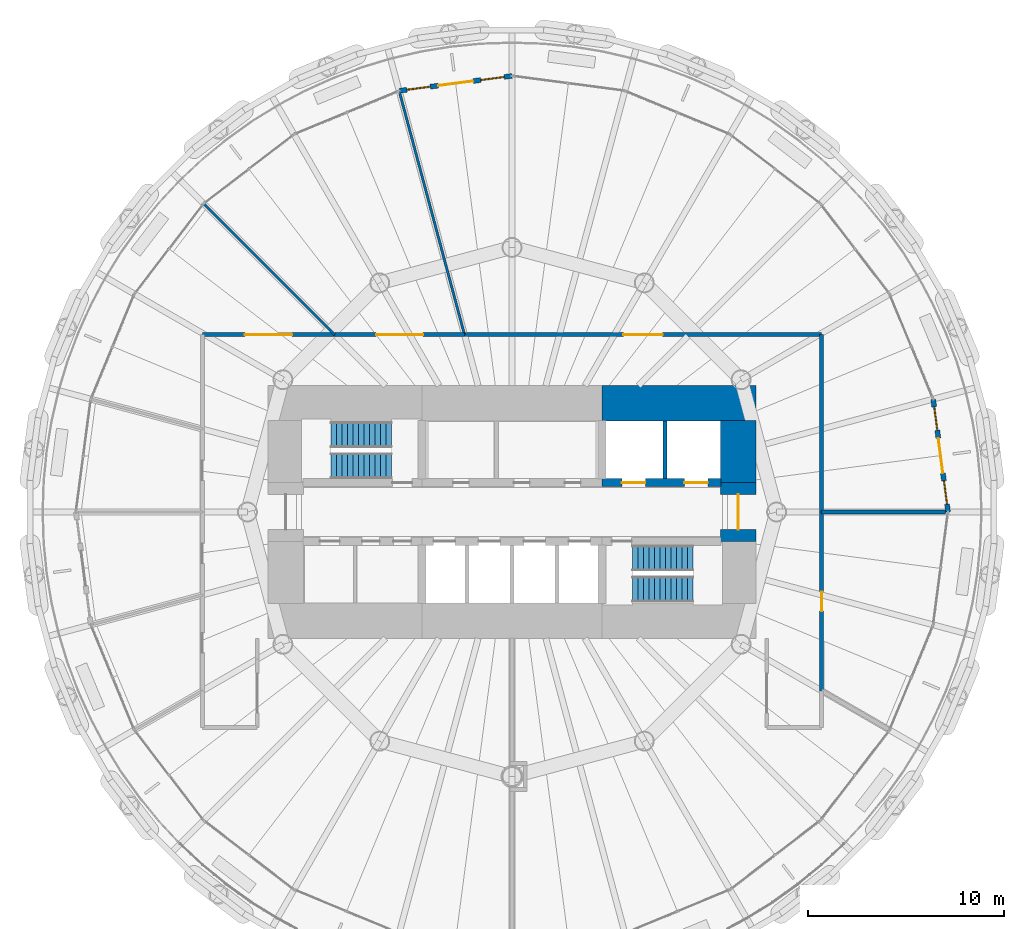
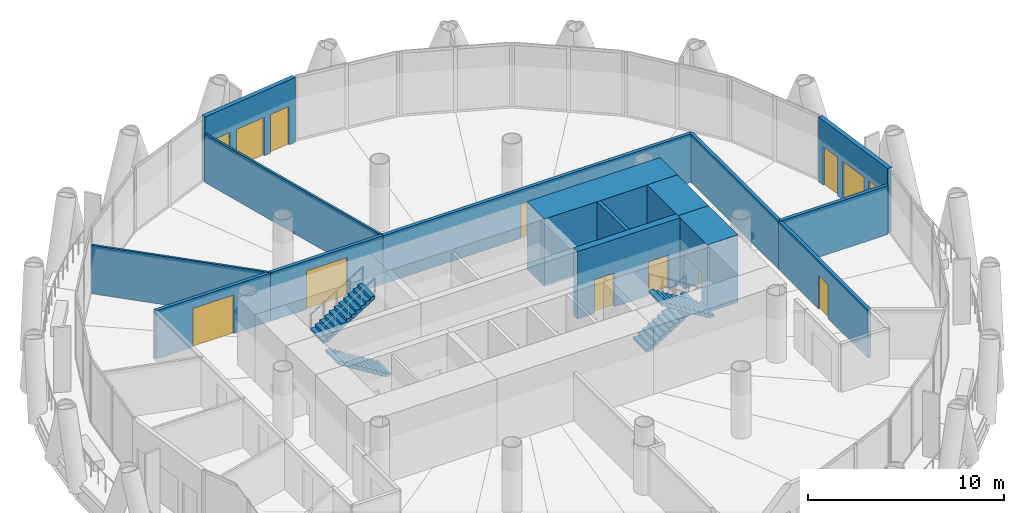
# One storey, part 11 of 15: 15 walls, 9 doors, 4 stair flights, 4 windows, 13 openings, 2 elements without a shape of their own.
"""IFC4 building model written with IfcOpenShell, lengths in metres."""

from ifc_helpers import new_model, si_unit, direction, frame, frame_2d, origin, place, context, subcontext, project, spatial, polyline, rectangle, outline, extrude, material, layer, layer_set, type_object, element, fill, aggregate, save


model = new_model("IFC4")

# Units and contexts
model_context = context("Model", 3, precision=1e-05, world=origin(), true_north=direction((0.0, 1.0)))
body_context = subcontext(model_context, "Body", "Model", "MODEL_VIEW")
ifc_project = project(units=[si_unit("LENGTHUNIT", "METRE"), si_unit("AREAUNIT", "SQUARE_METRE"), si_unit("VOLUMEUNIT", "CUBIC_METRE"), si_unit("PLANEANGLEUNIT", "RADIAN"), si_unit("MASSUNIT", "GRAM", prefix="KILO")], contexts=[model_context])

# Site, building, storey
site_placement = place(None, origin())
site = spatial("IfcSite", under=ifc_project, at=site_placement, CompositionType="ELEMENT")
building_placement = place(site_placement, origin())
building = spatial("IfcBuilding", under=site, at=building_placement, Name="Qaws Media Tower", CompositionType="ELEMENT")
storey_placement = place(building_placement, frame((0.0, 0.0, 164.60009765625)))
storey = spatial("IfcBuildingStorey", under=building, at=storey_placement, Name="L37", CompositionType="ELEMENT", Elevation=164.60009765625)

# Wall, openings, door, windows
ifc_material_1 = material(Name="Precast concrete, exposed finish", Category="concrete")
ifc_layer_1 = layer(ifc_material_1, 0.25)
ifc_layer_set_1 = layer_set([ifc_layer_1], Name="Balcony door wall 250")
wall_type_1 = type_object("IfcWallType", Name="Balcony door wall 250", PredefinedType="SOLIDWALL", material=ifc_layer_set_1)
wall_1_placement = place(storey_placement, frame((82.25, 50.0, 0.0), z_axis=(0.0, 0.0, 1.0), x_axis=(-0.130508876231, 0.991447140913, 0.0)))
wall_1 = element("IfcWall", 1, at=wall_1_placement, inside=storey, type_object=wall_type_1, Name="W209 EW1 balcony door wall L37-01", PredefinedType="SOLIDWALL", context=body_context, shape_type="SweptSolid", body=[
    extrude(rectangle(XDim=5.808349609375, YDim=0.25, at=frame_2d((2.904296875, 0.0))), origin(), (0.0, 0.0, 1.0), 4.039794921875),
])
opening_1_placement = place(wall_1_placement, frame((2.004150390625, 0.0, 0.0)))
opening_1 = element("IfcOpeningElement", 2, at=opening_1_placement, cuts=wall_1, Name="Opening D7", PredefinedType="OPENING", context=body_context, shape_type="SweptSolid", body=[
    extrude(rectangle(XDim=1.800048828125, YDim=2.39990234375, at=frame_2d((0.89990234375, 1.199951171875))), frame((0.0, 0.135009765625, 0.0), z_axis=(0.0, -1.0, 0.0), x_axis=(1.0, 0.0, 0.0)), (0.0, 0.0, 1.0), 0.27001953125),
])
opening_2_placement = place(wall_1_placement, frame((0.404296875, 0.0, 0.0)))
opening_2 = element("IfcOpeningElement", 3, at=opening_2_placement, cuts=wall_1, Name="Opening W1", PredefinedType="OPENING", context=body_context, shape_type="SweptSolid", body=[
    extrude(rectangle(XDim=1.199951171875, YDim=2.39990234375, at=frame_2d((0.60009765625, 1.199951171875))), frame((0.0, 0.135009765625, 0.0), z_axis=(0.0, -1.0, 0.0), x_axis=(1.0, 0.0, 0.0)), (0.0, 0.0, 1.0), 0.27001953125),
])
opening_3_placement = place(wall_1_placement, frame((4.2041015625, 0.0, 0.0)))
opening_3 = element("IfcOpeningElement", 4, at=opening_3_placement, cuts=wall_1, Name="Opening W1", PredefinedType="OPENING", context=body_context, shape_type="SweptSolid", body=[
    extrude(rectangle(XDim=1.199951171875, YDim=2.39990234375, at=frame_2d((0.60009765625, 1.199951171875))), frame((0.0, 0.135009765625, 0.0), z_axis=(0.0, -1.0, 0.0), x_axis=(1.0, 0.0, 0.0)), (0.0, 0.0, 1.0), 0.27001953125),
])
ifc_material_2 = material(Name="Aluminium and clear glass", Category="aluminium")
door_type_1 = type_object("IfcDoorType", Name="Balcony door pair 1800", OperationType="DOUBLE_DOOR_SLIDING", PredefinedType="DOOR", material=ifc_material_2)
door_1_placement = place(opening_1_placement, origin())
door_1 = element("IfcDoor", 5, at=door_1_placement, inside=storey, type_object=door_type_1, Name="D7 balcony door L37-01 in wall W209", OperationType="DOUBLE_DOOR_SLIDING", OverallHeight=2.39990234375, OverallWidth=1.800048828125, PredefinedType="DOOR", context=body_context, shape_type="SweptSolid", body=[
    extrude(rectangle(XDim=1.800048828125, YDim=2.39990234375, at=frame_2d((0.89990234375, 1.199951171875))), frame((0.0, 0.02490234375, 0.0), z_axis=(0.0, -1.0, 0.0), x_axis=(1.0, 0.0, 0.0)), (0.0, 0.0, 1.0), 0.050048828125),
])
fill(opening_1, door_1)
ifc_material_3 = material(Name="Aluminium and clear glass", Category="aluminium")
window_type = type_object("IfcWindowType", Name="Balcony side window 1200", PartitioningType="SINGLE_PANEL", PredefinedType="WINDOW", material=ifc_material_3)
window_1_placement = place(opening_2_placement, origin())
window_1 = element("IfcWindow", 6, at=window_1_placement, inside=storey, type_object=window_type, Name="W1 balcony side light L37-01L", OverallHeight=2.39990234375, OverallWidth=1.199951171875, PartitioningType="SINGLE_PANEL", PredefinedType="WINDOW", context=body_context, shape_type="SweptSolid", body=[
    extrude(rectangle(XDim=1.199951171875, YDim=2.39990234375, at=frame_2d((0.60009765625, 1.199951171875))), frame((0.0, 0.030029296875, 0.0), z_axis=(0.0, -1.0, 0.0), x_axis=(1.0, 0.0, 0.0)), (0.0, 0.0, 1.0), 0.06005859375),
])
fill(opening_2, window_1)
window_2_placement = place(opening_3_placement, origin())
window_2 = element("IfcWindow", 7, at=window_2_placement, inside=storey, type_object=window_type, Name="W1 balcony side light L37-01R", OverallHeight=2.39990234375, OverallWidth=1.199951171875, PartitioningType="SINGLE_PANEL", PredefinedType="WINDOW", context=body_context, shape_type="SweptSolid", body=[
    extrude(rectangle(XDim=1.199951171875, YDim=2.39990234375, at=frame_2d((0.60009765625, 1.199951171875))), frame((0.0, 0.030029296875, 0.0), z_axis=(0.0, -1.0, 0.0), x_axis=(1.0, 0.0, 0.0)), (0.0, 0.0, 1.0), 0.06005859375),
])
fill(opening_3, window_2)

wall_2_placement = place(storey_placement, frame((60.0, 72.25, 0.0), z_axis=(0.0, 0.0, 1.0), x_axis=(-0.991447140913, -0.130508876231, 0.0)))
wall_2 = element("IfcWall", 8, at=wall_2_placement, inside=storey, type_object=wall_type_1, Name="W208 EW1 balcony door wall L37-07", PredefinedType="SOLIDWALL", context=body_context, shape_type="SweptSolid", body=[
    extrude(rectangle(XDim=5.808349609375, YDim=0.25, at=frame_2d((2.904296875, 0.0))), origin(), (0.0, 0.0, 1.0), 4.039794921875),
])
opening_4_placement = place(wall_2_placement, frame((2.004150390625, 0.0, 0.0)))
opening_4 = element("IfcOpeningElement", 9, at=opening_4_placement, cuts=wall_2, Name="Opening D7", PredefinedType="OPENING", context=body_context, shape_type="SweptSolid", body=[
    extrude(rectangle(XDim=1.800048828125, YDim=2.39990234375, at=frame_2d((0.89990234375, 1.199951171875))), frame((0.0, 0.135009765625, 0.0), z_axis=(0.0, -1.0, 0.0), x_axis=(1.0, 0.0, 0.0)), (0.0, 0.0, 1.0), 0.27001953125),
])
opening_5_placement = place(wall_2_placement, frame((0.404296875, 0.0, 0.0)))
opening_5 = element("IfcOpeningElement", 10, at=opening_5_placement, cuts=wall_2, Name="Opening W1", PredefinedType="OPENING", context=body_context, shape_type="SweptSolid", body=[
    extrude(rectangle(XDim=1.199951171875, YDim=2.39990234375, at=frame_2d((0.60009765625, 1.199951171875))), frame((0.0, 0.135009765625, 0.0), z_axis=(0.0, -1.0, 0.0), x_axis=(1.0, 0.0, 0.0)), (0.0, 0.0, 1.0), 0.27001953125),
])
opening_6_placement = place(wall_2_placement, frame((4.2041015625, 0.0, 0.0)))
opening_6 = element("IfcOpeningElement", 11, at=opening_6_placement, cuts=wall_2, Name="Opening W1", PredefinedType="OPENING", context=body_context, shape_type="SweptSolid", body=[
    extrude(rectangle(XDim=1.199951171875, YDim=2.39990234375, at=frame_2d((0.60009765625, 1.199951171875))), frame((0.0, 0.135009765625, 0.0), z_axis=(0.0, -1.0, 0.0), x_axis=(1.0, 0.0, 0.0)), (0.0, 0.0, 1.0), 0.27001953125),
])
door_2_placement = place(opening_4_placement, origin())
door_2 = element("IfcDoor", 12, at=door_2_placement, inside=storey, type_object=door_type_1, Name="D7 balcony door L37-07 in wall W208", OperationType="DOUBLE_DOOR_SLIDING", OverallHeight=2.39990234375, OverallWidth=1.800048828125, PredefinedType="DOOR", context=body_context, shape_type="SweptSolid", body=[
    extrude(rectangle(XDim=1.800048828125, YDim=2.39990234375, at=frame_2d((0.89990234375, 1.199951171875))), frame((0.0, 0.02490234375, 0.0), z_axis=(0.0, -1.0, 0.0), x_axis=(1.0, 0.0, 0.0)), (0.0, 0.0, 1.0), 0.050048828125),
])
fill(opening_4, door_2)
window_3_placement = place(opening_5_placement, origin())
window_3 = element("IfcWindow", 13, at=window_3_placement, inside=storey, type_object=window_type, Name="W1 balcony side light L37-07L", OverallHeight=2.39990234375, OverallWidth=1.199951171875, PartitioningType="SINGLE_PANEL", PredefinedType="WINDOW", context=body_context, shape_type="SweptSolid", body=[
    extrude(rectangle(XDim=1.199951171875, YDim=2.39990234375, at=frame_2d((0.60009765625, 1.199951171875))), frame((0.0, 0.030029296875, 0.0), z_axis=(0.0, -1.0, 0.0), x_axis=(1.0, 0.0, 0.0)), (0.0, 0.0, 1.0), 0.06005859375),
])
fill(opening_5, window_3)
window_4_placement = place(opening_6_placement, origin())
window_4 = element("IfcWindow", 14, at=window_4_placement, inside=storey, type_object=window_type, Name="W1 balcony side light L37-07R", OverallHeight=2.39990234375, OverallWidth=1.199951171875, PartitioningType="SINGLE_PANEL", PredefinedType="WINDOW", context=body_context, shape_type="SweptSolid", body=[
    extrude(rectangle(XDim=1.199951171875, YDim=2.39990234375, at=frame_2d((0.60009765625, 1.199951171875))), frame((0.0, 0.030029296875, 0.0), z_axis=(0.0, -1.0, 0.0), x_axis=(1.0, 0.0, 0.0)), (0.0, 0.0, 1.0), 0.06005859375),
])
fill(opening_6, window_4)

# Wall, openings, doors
ifc_material_4 = material(Name="Concrete C60/75", Category="concrete")
ifc_layer_2 = layer(ifc_material_4, 0.39990234375)
ifc_layer_set_2 = layer_set([ifc_layer_2], Name="Core inner wall 400")
wall_type_2 = type_object("IfcWallType", Name="Core inner wall 400", PredefinedType="SHEAR", material=ifc_layer_set_2)
wall_3_placement = place(storey_placement, frame((64.60009765625, 51.5, 0.0), z_axis=(0.0, 0.0, 1.0), x_axis=(1.0, 0.0, 0.0)))
wall_3 = element("IfcWall", 15, at=wall_3_placement, inside=storey, type_object=wall_type_2, Name="W326 SW4 core wall SPNE L37", PredefinedType="SHEAR", context=body_context, shape_type="SweptSolid", body=[
    extrude(rectangle(XDim=6.06982421875, YDim=0.39990234375, at=frame_2d((3.034912109375, 0.0))), origin(), (0.0, 0.0, 1.0), 4.199951171875),
])
opening_7_placement = place(wall_3_placement, frame((1.0, 0.0, 0.0)))
opening_7 = element("IfcOpeningElement", 16, at=opening_7_placement, cuts=wall_3, Name="Opening LD2", PredefinedType="OPENING", context=body_context, shape_type="SweptSolid", body=[
    extrude(rectangle(XDim=1.199951171875, YDim=2.10009765625, at=frame_2d((0.60009765625, 1.050048828125))), frame((0.0, 0.2099609375, 0.0), z_axis=(0.0, -1.0, 0.0), x_axis=(1.0, 0.0, 0.0)), (0.0, 0.0, 1.0), 0.419921875),
])
opening_8_placement = place(wall_3_placement, frame((4.199951171875, 0.0, 0.0)))
opening_8 = element("IfcOpeningElement", 17, at=opening_8_placement, cuts=wall_3, Name="Opening LD2", PredefinedType="OPENING", context=body_context, shape_type="SweptSolid", body=[
    extrude(rectangle(XDim=1.199951171875, YDim=2.10009765625, at=frame_2d((0.60009765625, 1.050048828125))), frame((0.0, 0.2099609375, 0.0), z_axis=(0.0, -1.0, 0.0), x_axis=(1.0, 0.0, 0.0)), (0.0, 0.0, 1.0), 0.419921875),
])
ifc_material_5 = material(Name="Steel, fire rated", Category="steel")
door_type_2 = type_object("IfcDoorType", Name="Lift landing door 1200", OperationType="SLIDING_TO_LEFT", PredefinedType="DOOR", material=ifc_material_5)
door_3_placement = place(opening_7_placement, origin())
door_3 = element("IfcDoor", 18, at=door_3_placement, inside=storey, type_object=door_type_2, Name="FL1 landing door L37 in wall W326", OperationType="SLIDING_TO_LEFT", OverallHeight=2.10009765625, OverallWidth=1.199951171875, PredefinedType="DOOR", context=body_context, shape_type="SweptSolid", body=[
    extrude(rectangle(XDim=1.199951171875, YDim=2.10009765625, at=frame_2d((0.60009765625, 1.050048828125))), frame((0.0, 0.02490234375, 0.0), z_axis=(0.0, -1.0, 0.0), x_axis=(1.0, 0.0, 0.0)), (0.0, 0.0, 1.0), 0.050048828125),
])
fill(opening_7, door_3)
door_4_placement = place(opening_8_placement, origin())
door_4 = element("IfcDoor", 19, at=door_4_placement, inside=storey, type_object=door_type_2, Name="FL2 landing door L37 in wall W326", OperationType="SLIDING_TO_LEFT", OverallHeight=2.10009765625, OverallWidth=1.199951171875, PredefinedType="DOOR", context=body_context, shape_type="SweptSolid", body=[
    extrude(rectangle(XDim=1.199951171875, YDim=2.10009765625, at=frame_2d((0.60009765625, 1.050048828125))), frame((0.0, 0.02490234375, 0.0), z_axis=(0.0, -1.0, 0.0), x_axis=(1.0, 0.0, 0.0)), (0.0, 0.0, 1.0), 0.050048828125),
])
fill(opening_8, door_4)

# Wall
ifc_material_6 = material(Name="Concrete C60/75", Category="concrete")
ifc_layer_3 = layer(ifc_material_6, 1.800048828125)
ifc_layer_set_3 = layer_set([ifc_layer_3], Name="Core wall 1800")
wall_type_3 = type_object("IfcWallType", Name="Core wall 1800", PredefinedType="SHEAR", material=ifc_layer_set_3)
wall_4_placement = place(storey_placement, frame((64.60009765625, 55.550048828125, 0.0), z_axis=(0.0, 0.0, 1.0), x_axis=(1.0, 0.0, 0.0)))
element("IfcWall", 20, at=wall_4_placement, inside=storey, type_object=wall_type_3, Name="W423 SW11 core wall NE L37", PredefinedType="SHEAR", context=body_context, shape_type="SweptSolid", body=[
    extrude(rectangle(XDim=7.849853515625, YDim=1.800048828125, at=frame_2d((3.9248046875, 0.0))), origin(), (0.0, 0.0, 1.0), 4.199951171875),
])

# Wall, opening, door
wall_5_placement = place(storey_placement, frame((71.550048828125, 48.5, 0.0), z_axis=(0.0, 0.0, 1.0), x_axis=(0.0, 1.0, 0.0)))
wall_5 = element("IfcWall", 21, at=wall_5_placement, inside=storey, type_object=wall_type_3, Name="W427 SW11 core wall E L37", PredefinedType="SHEAR", context=body_context, shape_type="SweptSolid", body=[
    extrude(rectangle(XDim=3.0, YDim=1.800048828125, at=frame_2d((1.5, 0.0))), origin(), (0.0, 0.0, 1.0), 4.199951171875),
])
opening_9_placement = place(wall_5_placement, frame((0.60009765625, 0.0, 0.0)))
opening_9 = element("IfcOpeningElement", 22, at=opening_9_placement, cuts=wall_5, Name="Opening D2", PredefinedType="OPENING", context=body_context, shape_type="SweptSolid", body=[
    extrude(rectangle(XDim=1.800048828125, YDim=2.10009765625, at=frame_2d((0.89990234375, 1.050048828125))), frame((0.0, 0.909912109375, 0.0), z_axis=(0.0, -1.0, 0.0), x_axis=(1.0, 0.0, 0.0)), (0.0, 0.0, 1.0), 1.820068359375),
])
ifc_material_7 = material(Name="Steel and glass, fire rated", Category="steel")
door_type_3 = type_object("IfcDoorType", Name="Lobby door pair 1800 FD60", OperationType="DOUBLE_DOOR_DOUBLE_SWING", PredefinedType="DOOR", material=ifc_material_7)
door_5_placement = place(opening_9_placement, origin())
door_5 = element("IfcDoor", 23, at=door_5_placement, inside=storey, type_object=door_type_3, Name="D2 core lobby door E L37 in wall W427", OperationType="DOUBLE_DOOR_DOUBLE_SWING", OverallHeight=2.10009765625, OverallWidth=1.800048828125, PredefinedType="DOOR", context=body_context, shape_type="SweptSolid", body=[
    extrude(rectangle(XDim=1.800048828125, YDim=2.10009765625, at=frame_2d((0.89990234375, 1.050048828125))), frame((0.0, 0.02490234375, 0.0), z_axis=(0.0, -1.0, 0.0), x_axis=(1.0, 0.0, 0.0)), (0.0, 0.0, 1.0), 0.050048828125),
])
fill(opening_9, door_5)

# Walls
wall_6_placement = place(storey_placement, frame((71.550048828125, 51.5, 0.0), z_axis=(0.0, 0.0, 1.0), x_axis=(0.0, 1.0, 0.0)))
element("IfcWall", 24, at=wall_6_placement, inside=storey, type_object=wall_type_3, Name="W425 SW11 core wall EN L37", PredefinedType="SHEAR", context=body_context, shape_type="SweptSolid", body=[
    extrude(rectangle(XDim=3.169921875, YDim=1.800048828125, at=frame_2d((1.5849609375, 0.0))), origin(), (0.0, 0.0, 1.0), 4.199951171875),
])
ifc_material_8 = material(Name="Two layers gypsum board each side on 75 studs, insulated", Category="gypsum")
ifc_layer_4 = layer(ifc_material_8, 0.125)
ifc_layer_set_4 = layer_set([ifc_layer_4], Name="Meeting room partition 125 Rw 48")
wall_type_4 = type_object("IfcWallType", Name="Meeting room partition 125 Rw 48", PredefinedType="PARTITIONING", material=ifc_layer_set_4)
wall_7_placement = place(storey_placement, frame((57.577392578125, 59.041015625, 0.0), z_axis=(0.0, 0.0, 1.0), x_axis=(-0.258806592623, 0.965929162835, 0.0)))
element("IfcWall", 25, at=wall_7_placement, inside=storey, type_object=wall_type_4, Name="W577 IW5 partition L37", PredefinedType="PARTITIONING", context=body_context, shape_type="SweptSolid", body=[
    extrude(rectangle(XDim=12.75, YDim=0.125, at=frame_2d((6.375, 0.0))), origin(), (0.0, 0.0, 1.0), 3.02001953125),
])
wall_8_placement = place(storey_placement, frame((50.948974609375, 59.051025390625, 0.0), z_axis=(0.0, 0.0, 1.0), x_axis=(-0.707106781187, 0.707106781187, 0.0)))
element("IfcWall", 26, at=wall_8_placement, inside=storey, type_object=wall_type_4, Name="W576 IW5 partition L37", PredefinedType="PARTITIONING", context=body_context, shape_type="SweptSolid", body=[
    extrude(rectangle(XDim=9.409912109375, YDim=0.125, at=frame_2d((4.705078125, 0.0))), origin(), (0.0, 0.0, 1.0), 3.02001953125),
])

# Wall, opening, door
ifc_material_9 = material(Name="Gypsum board on galvanised metal studs, acoustic double stud, deflection head", Category="gypsum")
ifc_layer_5 = layer(ifc_material_9, 0.199951171875)
ifc_layer_set_5 = layer_set([ifc_layer_5], Name="Room partition 200")
wall_type_5 = type_object("IfcWallType", Name="Room partition 200", PredefinedType="PARTITIONING", material=ifc_layer_set_5)
wall_9_placement = place(storey_placement, frame((44.199951171875, 59.050048828125, 0.0), z_axis=(0.0, 0.0, 1.0), x_axis=(1.0, 0.0, 0.0)))
wall_9 = element("IfcWall", 27, at=wall_9_placement, inside=storey, type_object=wall_type_5, Name="W1365 IW3 partition L37", PredefinedType="PARTITIONING", context=body_context, shape_type="SweptSolid", body=[
    extrude(rectangle(XDim=6.75, YDim=0.199951171875, at=frame_2d((3.375, 0.0))), origin(), (0.0, 0.0, 1.0), 3.011962890625),
])
opening_10_placement = place(wall_9_placement, frame((2.175048828125, 0.0, 0.0)))
opening_10 = element("IfcOpeningElement", 28, at=opening_10_placement, cuts=wall_9, Name="Opening D17", PredefinedType="OPENING", context=body_context, shape_type="SweptSolid", body=[
    extrude(rectangle(XDim=2.39990234375, YDim=2.39990234375, at=frame_2d((1.199951171875, 1.199951171875))), frame((0.0, 0.10986328125, 0.0), z_axis=(0.0, -1.0, 0.0), x_axis=(1.0, 0.0, 0.0)), (0.0, 0.0, 1.0), 0.219970703125),
])
ifc_material_10 = material(Name="Timber veneered, panic hardware", Category="wood")
door_type_4 = type_object("IfcDoorType", Name="Assembly room door pair 2400x2400", OperationType="DOUBLE_DOOR_DOUBLE_SWING", PredefinedType="DOOR", material=ifc_material_10)
door_6_placement = place(opening_10_placement, origin())
door_6 = element("IfcDoor", 29, at=door_6_placement, inside=storey, type_object=door_type_4, Name="D17 Training room door L37 in wall W1365", OperationType="DOUBLE_DOOR_DOUBLE_SWING", OverallHeight=2.39990234375, OverallWidth=2.39990234375, PredefinedType="DOOR", context=body_context, shape_type="SweptSolid", body=[
    extrude(rectangle(XDim=2.39990234375, YDim=2.39990234375, at=frame_2d((1.199951171875, 1.199951171875))), frame((0.0, 0.02490234375, 0.0), z_axis=(0.0, -1.0, 0.0), x_axis=(1.0, 0.0, 0.0)), (0.0, 0.0, 1.0), 0.050048828125),
])
fill(opening_10, door_6)

wall_10_placement = place(storey_placement, frame((50.949951171875, 59.050048828125, 0.0), z_axis=(0.0, 0.0, 1.0), x_axis=(1.0, 0.0, 0.0)))
wall_10 = element("IfcWall", 30, at=wall_10_placement, inside=storey, type_object=wall_type_5, Name="W1368 IW3 partition L37", PredefinedType="PARTITIONING", context=body_context, shape_type="SweptSolid", body=[
    extrude(rectangle(XDim=6.625244140625, YDim=0.199951171875, at=frame_2d((3.3125, 0.0))), origin(), (0.0, 0.0, 1.0), 3.02001953125),
])
opening_11_placement = place(wall_10_placement, frame((2.112548828125, 0.0, 0.0)))
opening_11 = element("IfcOpeningElement", 31, at=opening_11_placement, cuts=wall_10, Name="Opening D17", PredefinedType="OPENING", context=body_context, shape_type="SweptSolid", body=[
    extrude(rectangle(XDim=2.39990234375, YDim=2.39990234375, at=frame_2d((1.199951171875, 1.199951171875))), frame((0.0, 0.10986328125, 0.0), z_axis=(0.0, -1.0, 0.0), x_axis=(1.0, 0.0, 0.0)), (0.0, 0.0, 1.0), 0.219970703125),
])
door_7_placement = place(opening_11_placement, origin())
door_7 = element("IfcDoor", 32, at=door_7_placement, inside=storey, type_object=door_type_4, Name="D17 Training room door L37 in wall W1368", OperationType="DOUBLE_DOOR_DOUBLE_SWING", OverallHeight=2.39990234375, OverallWidth=2.39990234375, PredefinedType="DOOR", context=body_context, shape_type="SweptSolid", body=[
    extrude(rectangle(XDim=2.39990234375, YDim=2.39990234375, at=frame_2d((1.199951171875, 1.199951171875))), frame((0.0, 0.02490234375, 0.0), z_axis=(0.0, -1.0, 0.0), x_axis=(1.0, 0.0, 0.0)), (0.0, 0.0, 1.0), 0.050048828125),
])
fill(opening_11, door_7)

wall_11_placement = place(storey_placement, frame((57.5751953125, 59.050048828125, 0.0), z_axis=(0.0, 0.0, 1.0), x_axis=(1.0, 0.0, 0.0)))
wall_11 = element("IfcWall", 33, at=wall_11_placement, inside=storey, type_object=wall_type_5, Name="W1369 IW3 partition L37", PredefinedType="PARTITIONING", context=body_context, shape_type="SweptSolid", body=[
    extrude(rectangle(XDim=18.224853515625, YDim=0.199951171875, at=frame_2d((9.1123046875, 0.0))), origin(), (0.0, 0.0, 1.0), 3.011962890625),
])
opening_12_placement = place(wall_11_placement, frame((8.112548828125, 0.0, 0.0)))
opening_12 = element("IfcOpeningElement", 34, at=opening_12_placement, cuts=wall_11, Name="Opening D6", PredefinedType="OPENING", context=body_context, shape_type="SweptSolid", body=[
    extrude(rectangle(XDim=2.0, YDim=2.10009765625, at=frame_2d((1.0, 1.050048828125))), frame((0.0, 0.10986328125, 0.0), z_axis=(0.0, -1.0, 0.0), x_axis=(1.0, 0.0, 0.0)), (0.0, 0.0, 1.0), 0.219970703125),
])
ifc_material_11 = material(Name="Steel, acoustic, fire rated", Category="steel")
door_type_5 = type_object("IfcDoorType", Name="Room door pair 2000", OperationType="DOUBLE_DOOR_DOUBLE_SWING", PredefinedType="DOOR", material=ifc_material_11)
door_8_placement = place(opening_12_placement, origin())
door_8 = element("IfcDoor", 35, at=door_8_placement, inside=storey, type_object=door_type_5, Name="D6 HR office door L37 in wall W1369", OperationType="DOUBLE_DOOR_DOUBLE_SWING", OverallHeight=2.10009765625, OverallWidth=2.0, PredefinedType="DOOR", context=body_context, shape_type="SweptSolid", body=[
    extrude(rectangle(XDim=2.0, YDim=2.10009765625, at=frame_2d((1.0, 1.050048828125))), frame((0.0, 0.02490234375, 0.0), z_axis=(0.0, -1.0, 0.0), x_axis=(1.0, 0.0, 0.0)), (0.0, 0.0, 1.0), 0.050048828125),
])
fill(opening_12, door_8)

# Wall
wall_12_placement = place(storey_placement, frame((75.800048828125, 59.050048828125, 0.0), z_axis=(0.0, 0.0, 1.0), x_axis=(0.0, -1.0, 0.0)))
element("IfcWall", 36, at=wall_12_placement, inside=storey, type_object=wall_type_5, Name="W1377 IW3 partition L37", PredefinedType="PARTITIONING", context=body_context, shape_type="SweptSolid", body=[
    extrude(rectangle(XDim=9.050048828125, YDim=0.199951171875, at=frame_2d((4.52490234375, 0.0))), origin(), (0.0, 0.0, 1.0), 3.011962890625),
])

# Wall, opening, door
wall_13_placement = place(storey_placement, frame((75.800048828125, 50.0, 0.0), z_axis=(0.0, 0.0, 1.0), x_axis=(0.0, -1.0, 0.0)))
wall_13 = element("IfcWall", 37, at=wall_13_placement, inside=storey, type_object=wall_type_5, Name="W1375 IW3 partition L37", PredefinedType="PARTITIONING", context=body_context, shape_type="SweptSolid", body=[
    extrude(rectangle(XDim=9.1220703125, YDim=0.199951171875, at=frame_2d((4.56103515625, 0.0))), origin(), (0.0, 0.0, 1.0), 3.011962890625),
])
opening_13_placement = place(wall_13_placement, frame((4.06103515625, 0.0, 0.0)))
opening_13 = element("IfcOpeningElement", 38, at=opening_13_placement, cuts=wall_13, Name="Opening D5", PredefinedType="OPENING", context=body_context, shape_type="SweptSolid", body=[
    extrude(rectangle(XDim=1.0, YDim=2.10009765625, at=frame_2d((0.5, 1.050048828125))), frame((0.0, 0.10986328125, 0.0), z_axis=(0.0, -1.0, 0.0), x_axis=(1.0, 0.0, 0.0)), (0.0, 0.0, 1.0), 0.219970703125),
])
ifc_material_12 = material(Name="Timber veneered, acoustic seal", Category="wood")
door_type_6 = type_object("IfcDoorType", Name="Room door 1000", OperationType="SINGLE_SWING_LEFT", PredefinedType="DOOR", material=ifc_material_12)
door_9_placement = place(opening_13_placement, origin())
door_9 = element("IfcDoor", 39, at=door_9_placement, inside=storey, type_object=door_type_6, Name="D5 HR office door L37 in wall W1375", OperationType="SINGLE_SWING_LEFT", OverallHeight=2.10009765625, OverallWidth=1.0, PredefinedType="DOOR", context=body_context, shape_type="SweptSolid", body=[
    extrude(rectangle(XDim=1.0, YDim=2.10009765625, at=frame_2d((0.5, 1.050048828125))), frame((0.0, 0.02490234375, 0.0), z_axis=(0.0, -1.0, 0.0), x_axis=(1.0, 0.0, 0.0)), (0.0, 0.0, 1.0), 0.050048828125),
])
fill(opening_13, door_9)

# Walls
wall_14_placement = place(storey_placement, frame((75.800048828125, 50.0, 0.0), z_axis=(0.0, 0.0, 1.0), x_axis=(1.0, 0.0, 0.0)))
element("IfcWall", 40, at=wall_14_placement, inside=storey, type_object=wall_type_5, Name="W1382 IW3 partition L37", PredefinedType="PARTITIONING", context=body_context, shape_type="SweptSolid", body=[
    extrude(rectangle(XDim=6.31005859375, YDim=0.199951171875, at=frame_2d((3.155029296875, 0.0))), origin(), (0.0, 0.0, 1.0), 3.039794921875),
])
ifc_material_13 = material(Name="Fire-rated gypsum board shaft wall on galvanised metal studs, deflection head", Category="gypsum")
ifc_layer_6 = layer(ifc_material_13, 0.199951171875)
ifc_layer_set_6 = layer_set([ifc_layer_6], Name="Shaft wall 200")
wall_type_6 = type_object("IfcWallType", Name="Shaft wall 200", PredefinedType="PARTITIONING", material=ifc_layer_set_6)
wall_15_placement = place(storey_placement, frame((67.800048828125, 51.699951171875, 0.0), z_axis=(0.0, 0.0, 1.0), x_axis=(0.0, 1.0, 0.0)))
element("IfcWall", 41, at=wall_15_placement, inside=storey, type_object=wall_type_6, Name="W1863 IW1 shaft wall FL L37", PredefinedType="PARTITIONING", context=body_context, shape_type="SweptSolid", body=[
    extrude(rectangle(XDim=2.949951171875, YDim=0.199951171875, at=frame_2d((1.47509765625, 0.0))), origin(), (0.0, 0.0, 1.0), 4.199951171875),
])

# Stair, stair flights
ifc_material_14 = material(Name="Concrete C40/50", Category="concrete")
stair_type = type_object("IfcStairType", Name="Exit stair", PredefinedType="HALF_TURN_STAIR", material=ifc_material_14)
stair_1_placement = place(storey_placement, origin())
stair_1 = element("IfcStair", 42, at=stair_1_placement, inside=storey, type_object=stair_type, Name="S1 exit stair L37", PredefinedType="HALF_TURN_STAIR")
ifc_material_15 = material(Name="Concrete C40/50", Category="concrete")
stair_flight_type = type_object("IfcStairFlightType", Name="Stair flight 1310", PredefinedType="STRAIGHT", material=ifc_material_15)
stair_flight_1_placement = place(storey_placement, frame((53.840087890625, 52.35498046875, 0.0), z_axis=(0.0, 0.0, 1.0), x_axis=(-1.0, 0.0, 0.0)))
stair_flight_1 = element("IfcStairFlight", 43, at=stair_flight_1_placement, type_object=stair_flight_type, Name="S1 flight 1", NumberOfRisers=12, NumberOfTreads=11, PredefinedType="STRAIGHT", RiserHeight=0.175, TreadLength=0.28, context=body_context, shape_type="SweptSolid", body=[
    extrude(outline(polyline([(0.0, 0.0), (0.0, 0.175048828125), (0.280029296875, 0.175048828125), (0.280029296875, 0.35009765625), (0.56005859375, 0.35009765625), (0.56005859375, 0.52490234375), (0.840087890625, 0.52490234375), (0.840087890625, 0.699951171875), (1.1201171875, 0.699951171875), (1.1201171875, 0.875), (1.39990234375, 0.875), (1.39990234375, 1.050048828125), (1.679931640625, 1.050048828125), (1.679931640625, 1.22509765625), (1.9599609375, 1.22509765625), (1.9599609375, 1.39990234375), (2.239990234375, 1.39990234375), (2.239990234375, 1.574951171875), (2.52001953125, 1.574951171875), (2.52001953125, 1.75), (2.800048828125, 1.75), (2.800048828125, 1.925048828125), (3.080078125, 1.925048828125), (3.080078125, 2.10009765625), (3.080078125, 1.748291015625), (0.28271484375, 0.0), (0.0, 0.0)])), frame((0.0, 0.655029296875, 0.0), z_axis=(0.0, -1.0, 0.0), x_axis=(1.0, 0.0, 0.0)), (0.0, 0.0, 1.0), 1.31005859375),
])
stair_flight_2_placement = place(storey_placement, frame((50.760009765625, 53.945068359375, 2.099853515625), z_axis=(0.0, 0.0, 1.0), x_axis=(1.0, 0.0, 0.0)))
stair_flight_2 = element("IfcStairFlight", 44, at=stair_flight_2_placement, type_object=stair_flight_type, Name="S1 flight 2", NumberOfRisers=12, NumberOfTreads=11, PredefinedType="STRAIGHT", RiserHeight=0.175, TreadLength=0.28, context=body_context, shape_type="SweptSolid", body=[
    extrude(outline(polyline([(0.0, 0.0), (0.0, 0.175048828125), (0.280029296875, 0.175048828125), (0.280029296875, 0.35009765625), (0.56005859375, 0.35009765625), (0.56005859375, 0.52490234375), (0.840087890625, 0.52490234375), (0.840087890625, 0.699951171875), (1.1201171875, 0.699951171875), (1.1201171875, 0.875), (1.39990234375, 0.875), (1.39990234375, 1.050048828125), (1.679931640625, 1.050048828125), (1.679931640625, 1.22509765625), (1.9599609375, 1.22509765625), (1.9599609375, 1.39990234375), (2.239990234375, 1.39990234375), (2.239990234375, 1.574951171875), (2.52001953125, 1.574951171875), (2.52001953125, 1.75), (2.800048828125, 1.75), (2.800048828125, 1.925048828125), (3.080078125, 1.925048828125), (3.080078125, 2.10009765625), (3.080078125, 1.748291015625), (0.28271484375, 0.0), (0.0, 0.0)])), frame((0.0, 0.655029296875, 0.0), z_axis=(0.0, -1.0, 0.0), x_axis=(1.0, 0.0, 0.0)), (0.0, 0.0, 1.0), 1.31005859375),
])
aggregate(stair_1, [stair_flight_1, stair_flight_2])

stair_2_placement = place(storey_placement, origin())
stair_2 = element("IfcStair", 45, at=stair_2_placement, inside=storey, type_object=stair_type, Name="S2 exit stair L37", PredefinedType="HALF_TURN_STAIR")
stair_flight_3_placement = place(storey_placement, frame((66.159912109375, 47.64501953125, 0.0), z_axis=(0.0, 0.0, 1.0), x_axis=(1.0, 0.0, 0.0)))
stair_flight_3 = element("IfcStairFlight", 46, at=stair_flight_3_placement, type_object=stair_flight_type, Name="S2 flight 1", NumberOfRisers=12, NumberOfTreads=11, PredefinedType="STRAIGHT", RiserHeight=0.175, TreadLength=0.28, context=body_context, shape_type="SweptSolid", body=[
    extrude(outline(polyline([(0.0, 0.0), (0.0, 0.175048828125), (0.280029296875, 0.175048828125), (0.280029296875, 0.35009765625), (0.56005859375, 0.35009765625), (0.56005859375, 0.52490234375), (0.840087890625, 0.52490234375), (0.840087890625, 0.699951171875), (1.1201171875, 0.699951171875), (1.1201171875, 0.875), (1.39990234375, 0.875), (1.39990234375, 1.050048828125), (1.679931640625, 1.050048828125), (1.679931640625, 1.22509765625), (1.9599609375, 1.22509765625), (1.9599609375, 1.39990234375), (2.239990234375, 1.39990234375), (2.239990234375, 1.574951171875), (2.52001953125, 1.574951171875), (2.52001953125, 1.75), (2.800048828125, 1.75), (2.800048828125, 1.925048828125), (3.080078125, 1.925048828125), (3.080078125, 2.10009765625), (3.080078125, 1.748291015625), (0.28271484375, 0.0), (0.0, 0.0)])), frame((0.0, 0.655029296875, 0.0), z_axis=(0.0, -1.0, 0.0), x_axis=(1.0, 0.0, 0.0)), (0.0, 0.0, 1.0), 1.31005859375),
])
stair_flight_4_placement = place(storey_placement, frame((69.239990234375, 46.054931640625, 2.099853515625), z_axis=(0.0, 0.0, 1.0), x_axis=(-1.0, 0.0, 0.0)))
stair_flight_4 = element("IfcStairFlight", 47, at=stair_flight_4_placement, type_object=stair_flight_type, Name="S2 flight 2", NumberOfRisers=12, NumberOfTreads=11, PredefinedType="STRAIGHT", RiserHeight=0.175, TreadLength=0.28, context=body_context, shape_type="SweptSolid", body=[
    extrude(outline(polyline([(0.0, 0.0), (0.0, 0.175048828125), (0.280029296875, 0.175048828125), (0.280029296875, 0.35009765625), (0.56005859375, 0.35009765625), (0.56005859375, 0.52490234375), (0.840087890625, 0.52490234375), (0.840087890625, 0.699951171875), (1.1201171875, 0.699951171875), (1.1201171875, 0.875), (1.39990234375, 0.875), (1.39990234375, 1.050048828125), (1.679931640625, 1.050048828125), (1.679931640625, 1.22509765625), (1.9599609375, 1.22509765625), (1.9599609375, 1.39990234375), (2.239990234375, 1.39990234375), (2.239990234375, 1.574951171875), (2.52001953125, 1.574951171875), (2.52001953125, 1.75), (2.800048828125, 1.75), (2.800048828125, 1.925048828125), (3.080078125, 1.925048828125), (3.080078125, 2.10009765625), (3.080078125, 1.748291015625), (0.28271484375, 0.0), (0.0, 0.0)])), frame((0.0, 0.655029296875, 0.0), z_axis=(0.0, -1.0, 0.0), x_axis=(1.0, 0.0, 0.0)), (0.0, 0.0, 1.0), 1.31005859375),
])
aggregate(stair_2, [stair_flight_3, stair_flight_4])

save(model, "model.ifc")
